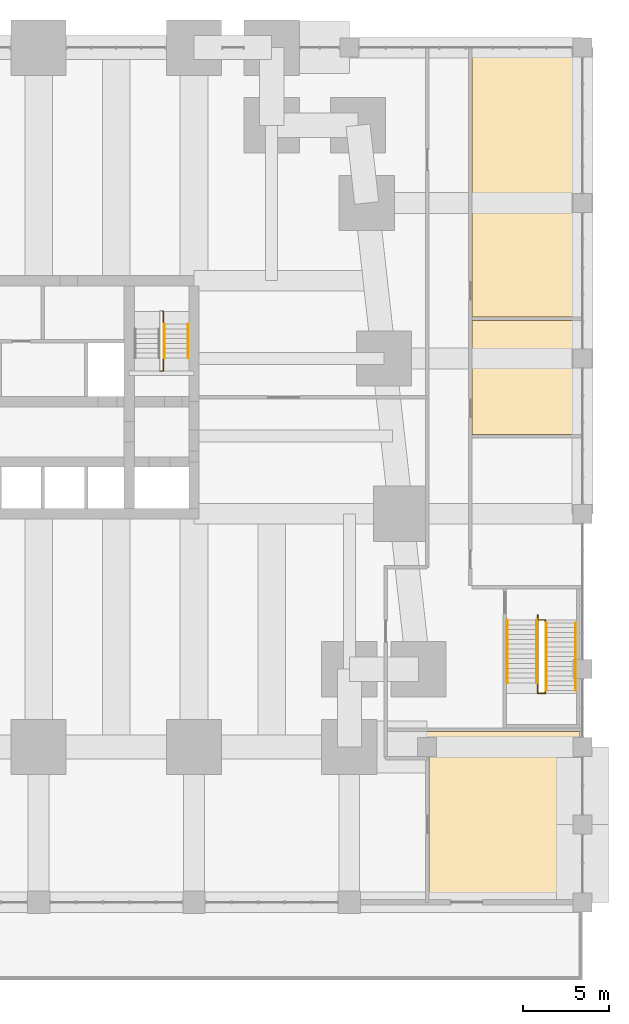
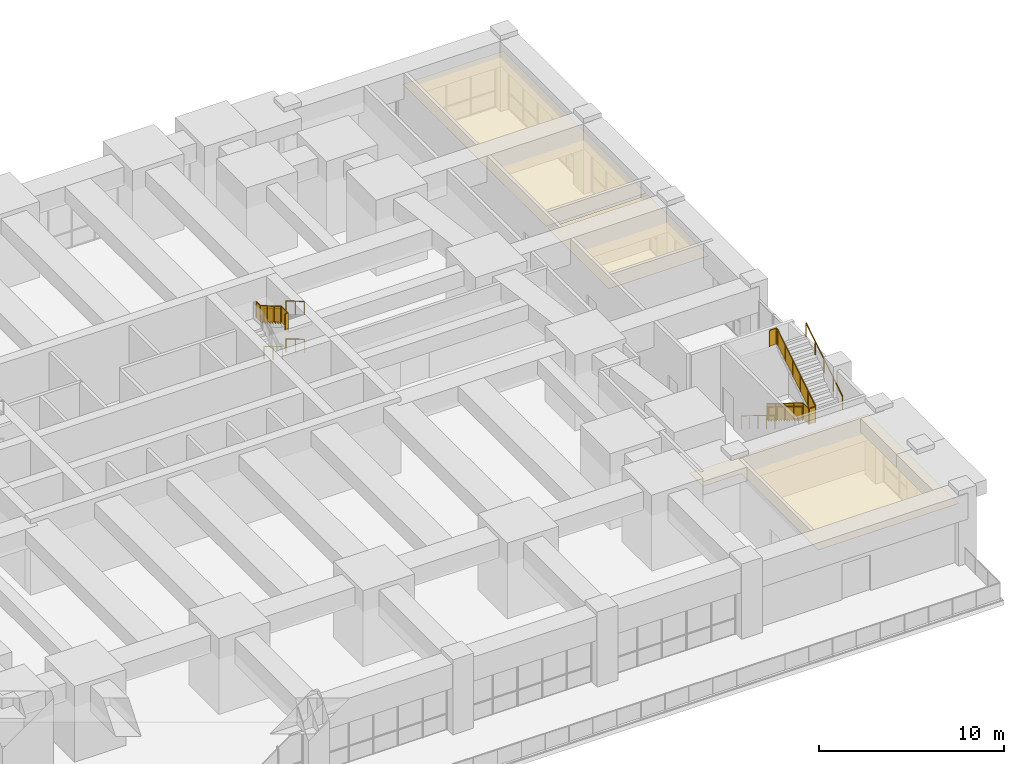
# One storey, part 27 of 27: 11 railings, 3 coverings.
"""IFC4 building model written with IfcOpenShell, lengths in metres."""

import ifcopenshell
import ifcopenshell.guid

model = None  # the IFC model being written
_history = None  # IfcOwnerHistory: only IFC2X3 demands one
_inside = {}  # id of a spatial element -> (the spatial element, [elements in it])
_under = {}  # id of a project, library or spatial element -> (it, [spatial elements below it])
_declared = {}  # id of a project -> (the project, [libraries it declares])
_typed = {}  # id of a type object -> (the type object, [elements of that type])
_made_of = {}  # id of a material, layer set ... -> (it, [elements and type objects made of it])


def new_model(schema):
    """Start an empty IFC model of exactly this schema.

    Asked for "IFC4X3", IfcOpenShell would pick the latest addendum, in which some entities
    have other attributes; the version numbers below select the first issue.
    IFC2X3 requires an IfcOwnerHistory on every rooted entity: one is made here for all.
    """
    global model, _history
    if schema == "IFC4X3":
        model = ifcopenshell.file(schema_version=(4, 3, 0, 0))
    else:
        model = ifcopenshell.file(schema=schema)
    _inside.clear()
    _under.clear()
    _declared.clear()
    _typed.clear()
    _made_of.clear()
    _history = None
    if model.schema == "IFC2X3":
        org = make("IfcOrganization", Name="unknown")
        user = make(
            "IfcPersonAndOrganization",
            ThePerson=make("IfcPerson", FamilyName="unknown"),
            TheOrganization=org,
        )
        app = make(
            "IfcApplication",
            ApplicationDeveloper=org,
            Version="unknown",
            ApplicationFullName="unknown",
            ApplicationIdentifier="unknown",
        )
        _history = make(
            "IfcOwnerHistory",
            OwningUser=user,
            OwningApplication=app,
            ChangeAction="ADDED",
            CreationDate=0,
        )
    return model


def make(cls, **values):
    """One entity of the class cls with the attributes given. An attribute that is None is left unset."""
    return model.create_entity(
        cls, **{name: value for name, value in values.items() if value is not None}
    )


def rooted(cls, **values):
    """An entity with a GlobalId (a new one), such as an element, a storey or a relation."""
    return make(cls, GlobalId=ifcopenshell.guid.new(), OwnerHistory=_history, **values)


def si_unit(unit_type, name, prefix=None):
    """IfcSIUnit, for example si_unit("LENGTHUNIT", "METRE", prefix="MILLI")."""
    return make("IfcSIUnit", UnitType=unit_type, Prefix=prefix, Name=name)


def assignment(units):
    """IfcUnitAssignment: the units of a project."""
    return None if units is None else make("IfcUnitAssignment", Units=units)


def point(xyz):
    """IfcCartesianPoint."""
    return None if xyz is None else make("IfcCartesianPoint", Coordinates=xyz)


def direction(xyz):
    """IfcDirection."""
    return None if xyz is None else make("IfcDirection", DirectionRatios=xyz)


def frame(location, z_axis=None, x_axis=None):
    """IfcAxis2Placement3D, a coordinate frame: its origin and axes. An axis left out is left unset."""
    return make(
        "IfcAxis2Placement3D",
        Location=point(location),
        Axis=direction(z_axis),
        RefDirection=direction(x_axis),
    )


def frame_2d(location, x_axis=None):
    """IfcAxis2Placement2D, a coordinate frame in the plane: its origin and x axis."""
    return make(
        "IfcAxis2Placement2D", Location=point(location), RefDirection=direction(x_axis)
    )


def origin():
    """The frame at (0, 0, 0) with its axes left unset."""
    return frame((0.0, 0.0, 0.0))


def origin_2d():
    """The frame at (0, 0) in the plane with its x axis left unset."""
    return frame_2d((0.0, 0.0))


def place(relative_to, where):
    """IfcLocalPlacement: puts the frame where relative to a parent placement (None: the world)."""
    return make(
        "IfcLocalPlacement", PlacementRelTo=relative_to, RelativePlacement=where
    )


def context(
    kind, dimensions, precision=None, world=None, true_north=None, identifier=None
):
    """IfcGeometricRepresentationContext, for example the 3D "Model" context."""
    return make(
        "IfcGeometricRepresentationContext",
        ContextIdentifier=identifier,
        ContextType=kind,
        CoordinateSpaceDimension=dimensions,
        Precision=precision,
        WorldCoordinateSystem=world,
        TrueNorth=true_north,
    )


def subcontext(parent, identifier, kind, view, scale=None):
    """IfcGeometricRepresentationSubContext, for example "Body" below "Model"."""
    return make(
        "IfcGeometricRepresentationSubContext",
        ContextIdentifier=identifier,
        ContextType=kind,
        ParentContext=parent,
        TargetScale=scale,
        TargetView=view,
    )


def project(units=None, contexts=None):
    """IfcProject with its units and contexts."""
    return rooted(
        "IfcProject",
        Name="project",
        RepresentationContexts=contexts,
        UnitsInContext=assignment(units),
    )


def spatial(cls, under=None, at=None, **own):
    """A site, building, storey or space (cls), placed at a placement, below another one or the project."""
    s = rooted(cls, ObjectPlacement=at, **own)
    if under is not None:
        _under.setdefault(under.id(), (under, []))[1].append(s)
    return s


def polyline(points):
    """IfcPolyline through the points."""
    return make("IfcPolyline", Points=[point(p) for p in points])


def profile(cls, at=None, kind="AREA", **sizes):
    """A parametric profile (cls). Its sizes go by their IFC names, for example OverallWidth=200.0."""
    return make(cls, ProfileType=kind, Position=at, **sizes)


def circle(**sizes):
    """IfcCircleProfileDef."""
    return profile("IfcCircleProfileDef", **sizes)


def outline(outer, holes=None, kind="AREA"):
    """IfcArbitraryClosedProfileDef: a profile drawn as a closed curve; with holes, ...WithVoids."""
    if holes is None:
        return make("IfcArbitraryClosedProfileDef", ProfileType=kind, OuterCurve=outer)
    return make(
        "IfcArbitraryProfileDefWithVoids",
        ProfileType=kind,
        OuterCurve=outer,
        InnerCurves=holes,
    )


def extrude(swept, where, along, depth):
    """IfcExtrudedAreaSolid: the profile swept, set in the frame where, extruded along a direction by depth."""
    return make(
        "IfcExtrudedAreaSolid",
        SweptArea=swept,
        Position=where,
        ExtrudedDirection=direction(along),
        Depth=depth,
    )


def shape(context_of_items, identifier, shape_type, items):
    """IfcShapeRepresentation: the items that make up one representation, for example the "Body"."""
    return make(
        "IfcShapeRepresentation",
        ContextOfItems=context_of_items,
        RepresentationIdentifier=identifier,
        RepresentationType=shape_type,
        Items=items,
    )


def material(Name=None, Category=None):
    """IfcMaterial."""
    return make("IfcMaterial", Name=Name, Category=Category)


def layer(
    of_material, thickness, ventilated=None, Name=None, Category=None, Priority=None
):
    """IfcMaterialLayer: one layer of a wall or slab, of a material (None: an air gap)."""
    return make(
        "IfcMaterialLayer",
        Material=of_material,
        LayerThickness=thickness,
        IsVentilated=ventilated,
        Name=Name,
        Category=Category,
        Priority=Priority,
    )


def layer_set(layers, Name=None):
    """IfcMaterialLayerSet."""
    return make("IfcMaterialLayerSet", MaterialLayers=layers, LayerSetName=Name)


def made_of(thing, what):
    """Note that an element or type object is made of a material, layer set ...; save() writes the relation."""
    if what is not None:
        _made_of.setdefault(what.id(), (what, []))[1].append(thing)
    return thing


def type_object(cls, material=None, **own):
    """A type object (cls), such as IfcWallType, which elements share."""
    return made_of(rooted(cls, **own), material)


def element(
    cls,
    number,
    at=None,
    inside=None,
    cuts=None,
    type_object=None,
    material=None,
    context=None,
    identifier="Body",
    shape_type=None,
    held_by="IfcProductDefinitionShape",
    body=None,
    shapes=None,
    **own,
):
    """One element of the class cls, such as IfcWall. Its Tag is "e" and its number.

    at: its placement. inside: the storey or other place that contains it. cuts: it is an
    opening in that element (IfcRelVoidsElement). A single representation is given by context,
    identifier, shape_type and body (its items); several are given by shapes. held_by: the class
    of the entity that holds the representations. save() writes the other relations.
    """
    e = rooted(cls, Tag="e%d" % number, ObjectPlacement=at, **own)
    if body is not None:
        shapes = [shape(context, identifier, shape_type, body)]
    if shapes is not None:
        e.Representation = make(held_by, Representations=shapes)
    if inside is not None:
        _inside.setdefault(inside.id(), (inside, []))[1].append(e)
    if cuts is not None:
        rooted(
            "IfcRelVoidsElement", RelatingBuildingElement=cuts, RelatedOpeningElement=e
        )
    if type_object is not None:
        _typed.setdefault(type_object.id(), (type_object, []))[1].append(e)
    return made_of(e, material)


def aggregate(whole, parts):
    """IfcRelAggregates: a whole, such as a stair, and the parts it consists of."""
    return rooted("IfcRelAggregates", RelatingObject=whole, RelatedObjects=parts)


def save(model, path):
    """Write the relations noted so far, then the file.

    IfcRelAggregates (storeys below a building ...), IfcRelContainedInSpatialStructure (elements
    in a storey), IfcRelDefinesByType, IfcRelAssociatesMaterial and IfcRelDeclares: one each for
    every whole, place, type object, material and project.
    """
    for whole, parts in _under.values():
        aggregate(whole, parts)
    for where, things in _inside.values():
        rooted(
            "IfcRelContainedInSpatialStructure",
            RelatedElements=things,
            RelatingStructure=where,
        )
    for kind, things in _typed.values():
        rooted("IfcRelDefinesByType", RelatedObjects=things, RelatingType=kind)
    for what, things in _made_of.values():
        rooted("IfcRelAssociatesMaterial", RelatedObjects=things, RelatingMaterial=what)
    for by, libraries in _declared.values():
        rooted("IfcRelDeclares", RelatingContext=by, RelatedDefinitions=libraries)
    model.write(path)


model = new_model("IFC4")

# Units and contexts
model_context = context("Model", 3, precision=1e-05, world=origin(), true_north=direction((0.0, 1.0)))
body_context = subcontext(model_context, "Body", "Model", "MODEL_VIEW")
ifc_project = project(units=[si_unit("LENGTHUNIT", "METRE"), si_unit("AREAUNIT", "SQUARE_METRE"), si_unit("VOLUMEUNIT", "CUBIC_METRE"), si_unit("PLANEANGLEUNIT", "RADIAN"), si_unit("MASSUNIT", "GRAM", prefix="KILO")], contexts=[model_context])

# Site, building, storey
site_placement = place(None, origin())
site = spatial("IfcSite", under=ifc_project, at=site_placement, CompositionType="ELEMENT")
building_placement = place(site_placement, origin())
building = spatial("IfcBuilding", under=site, at=building_placement, Name="Kilele Tower Hotel", CompositionType="ELEMENT")
storey_placement = place(building_placement, frame((0.0, 0.0, 6.0)))
storey = spatial("IfcBuildingStorey", under=building, at=storey_placement, Name="L01", CompositionType="ELEMENT", Elevation=6.0)

# Railings
ifc_material_1 = material(Name="Steel handrail", Category="steel")
railing_type_1 = type_object("IfcRailingType", Name="Handrail 900", PredefinedType="HANDRAIL", material=ifc_material_1)
for number, where, name in (
    (1, (34.27490234375, 24.47998046875, 1.333251953125), "Handrail ST2 flight 2"),
    (2, (35.64990234375, 24.47998046875, 1.333251953125), "Handrail ST2 flight 2"),
    (3, (34.27490234375, 24.47998046875, 3.833251953125), "Handrail ST2 flight 4"),
    (4, (35.64990234375, 24.47998046875, 3.833251953125), "Handrail ST2 flight 4"),
):
    element("IfcRailing", number, at=place(storey_placement, frame(where)), inside=storey, type_object=railing_type_1, Name=name, PredefinedType="HANDRAIL", context=body_context, shape_type="SweptSolid", body=[
        extrude(circle(Radius=0.02490234375, at=origin_2d()), frame((0.0, 0.0, 0.875), z_axis=(0.0, -0.859272722373, 0.511517730471), x_axis=(1.0, 0.0, 0.0)), (0.0, 0.0, 1.0), 2.281005859375),
        extrude(circle(Radius=0.02001953125, at=origin_2d()), origin(), (0.0, 0.0, 1.0), 0.849853515625),
        extrude(circle(Radius=0.02001953125, at=origin_2d()), frame((0.0, -0.97998046875, 0.58349609375)), (0.0, 0.0, 1.0), 0.849853515625),
        extrude(circle(Radius=0.02001953125, at=origin_2d()), frame((0.0, -1.9599609375, 1.166748046875)), (0.0, 0.0, 1.0), 0.849853515625),
    ])
for number, where, name in (
    (5, (54.14990234375, 7.35009765625, 0.17236328125), "Handrail ST5 flight 1"),
    (6, (55.85009765625, 7.35009765625, 0.17236328125), "Handrail ST5 flight 1"),
):
    element("IfcRailing", number, at=place(storey_placement, frame(where)), inside=storey, type_object=railing_type_1, Name=name, PredefinedType="HANDRAIL", context=body_context, shape_type="SweptSolid", body=[
        extrude(circle(Radius=0.02490234375, at=origin_2d()), frame((0.0, 0.0, 0.875), z_axis=(0.0, -0.851515141431, 0.524330014318), x_axis=(1.0, 0.0, 0.0)), (0.0, 0.0, 1.0), 4.27490234375),
        extrude(circle(Radius=0.02001953125, at=origin_2d()), origin(), (0.0, 0.0, 1.0), 0.849853515625),
        extrude(circle(Radius=0.02001953125, at=origin_2d()), frame((0.0, -0.91015625, 0.560302734375)), (0.0, 0.0, 1.0), 0.849853515625),
        extrude(circle(Radius=0.02001953125, at=origin_2d()), frame((0.0, -1.820068359375, 1.12060546875)), (0.0, 0.0, 1.0), 0.849853515625),
        extrude(circle(Radius=0.02001953125, at=origin_2d()), frame((0.0, -2.72998046875, 1.68115234375)), (0.0, 0.0, 1.0), 0.849853515625),
        extrude(circle(Radius=0.02001953125, at=origin_2d()), frame((0.0, -3.64013671875, 2.241455078125)), (0.0, 0.0, 1.0), 0.849853515625),
    ])
for number, where, name in (
    (7, (56.39990234375, 3.264892578125, 2.586181640625), "Handrail ST5 flight 2"),
    (8, (58.10009765625, 3.264892578125, 2.586181640625), "Handrail ST5 flight 2"),
):
    element("IfcRailing", number, at=place(storey_placement, frame(where)), inside=storey, type_object=railing_type_1, Name=name, PredefinedType="HANDRAIL", context=body_context, shape_type="SweptSolid", body=[
        extrude(circle(Radius=0.02490234375, at=origin_2d()), frame((0.0, 0.0, 0.875), z_axis=(0.0, 0.851521726804, 0.524319319481), x_axis=(-1.0, 0.0, 0.0)), (0.0, 0.0, 1.0), 4.603759765625),
        extrude(circle(Radius=0.02001953125, at=origin_2d()), origin(), (0.0, 0.0, 1.0), 0.849853515625),
        extrude(circle(Radius=0.02001953125, at=origin_2d()), frame((0.0, 0.97998046875, 0.603515625)), (0.0, 0.0, 1.0), 0.849853515625),
        extrude(circle(Radius=0.02001953125, at=origin_2d()), frame((0.0, 1.9599609375, 1.20703125)), (0.0, 0.0, 1.0), 0.849853515625),
        extrude(circle(Radius=0.02001953125, at=origin_2d()), frame((0.0, 2.940185546875, 1.810302734375)), (0.0, 0.0, 1.0), 0.849853515625),
        extrude(circle(Radius=0.02001953125, at=origin_2d()), frame((0.0, 3.920166015625, 2.413818359375)), (0.0, 0.0, 1.0), 0.849853515625),
    ])
ifc_material_2 = material(Name="Steel guard", Category="steel")
railing_type_2 = type_object("IfcRailingType", Name="Stair guard 1100", PredefinedType="GUARDRAIL", material=ifc_material_2)
railing_1_placement = place(storey_placement, frame((34.215087890625, 25.22509765625, 3.666748046875)))
element("IfcRailing", 9, at=railing_1_placement, inside=storey, type_object=railing_type_2, Name="Stair well guard ST2 flight 4", PredefinedType="GUARDRAIL", context=body_context, shape_type="SweptSolid", body=[
    extrude(circle(Radius=0.02490234375, at=origin_2d()), frame((0.0, 0.0, 1.0751953125), z_axis=(0.0, -1.0, 0.0), x_axis=(1.0, 0.0, 0.0)), (0.0, 0.0, 1.0), 0.465087890625),
    extrude(circle(Radius=0.02490234375, at=origin_2d()), frame((0.0, -0.465087890625, 1.0751953125), z_axis=(0.0, -0.859305625298, 0.511462454469), x_axis=(1.0, 0.0, 0.0)), (0.0, 0.0, 1.0), 2.606689453125),
    extrude(circle(Radius=0.02490234375, at=origin_2d()), frame((0.0, -2.705078125, 2.408203125), z_axis=(0.0, -1.0, 0.0), x_axis=(1.0, 0.0, 0.0)), (0.0, 0.0, 1.0), 0.7451171875),
    extrude(circle(Radius=0.02490234375, at=origin_2d()), frame((0.0, -3.4501953125, 2.408203125), z_axis=(-1.0, 0.0, 0.0), x_axis=(0.0, -1.0, 0.0)), (0.0, 0.0, 1.0), 0.18017578125),
    extrude(circle(Radius=0.02490234375, at=origin_2d()), origin(), (0.0, 0.0, 1.0), 1.050048828125),
    extrude(circle(Radius=0.02490234375, at=origin_2d()), frame((0.0, -0.465087890625, 0.0)), (0.0, 0.0, 1.0), 1.050048828125),
    extrude(circle(Radius=0.02490234375, at=origin_2d()), frame((0.0, -1.211669921875, 0.4443359375)), (0.0, 0.0, 1.0), 1.050048828125),
    extrude(circle(Radius=0.02490234375, at=origin_2d()), frame((0.0, -1.95849609375, 0.888916015625)), (0.0, 0.0, 1.0), 1.050048828125),
    extrude(circle(Radius=0.02490234375, at=origin_2d()), frame((0.0, -2.705078125, 1.333251953125)), (0.0, 0.0, 1.0), 1.050048828125),
    extrude(circle(Radius=0.02490234375, at=origin_2d()), frame((0.0, -3.4501953125, 1.333251953125)), (0.0, 0.0, 1.0), 1.050048828125),
    extrude(circle(Radius=0.02490234375, at=origin_2d()), frame((-0.18017578125, -3.4501953125, 1.333251953125)), (0.0, 0.0, 1.0), 1.050048828125),
    extrude(outline(polyline([(0.0, 0.030029296875), (0.45263671875, 0.030029296875), (0.45263671875, 1.050048828125), (0.0, 1.050048828125), (0.0, 0.030029296875)])), frame((0.005859375, 0.0, 0.0), z_axis=(-1.0, 0.0, 0.0), x_axis=(0.0, -1.0, 0.0)), (0.0, 0.0, 1.0), 0.011962890625),
    extrude(outline(polyline([(0.012451171875, 0.030029296875), (0.25, 0.030029296875), (0.25, 0.19677734375), (0.530029296875, 0.19677734375), (0.530029296875, 0.36328125), (0.81005859375, 0.36328125), (0.81005859375, 0.530029296875), (1.08984375, 0.530029296875), (1.08984375, 0.69677734375), (1.369873046875, 0.69677734375), (1.369873046875, 0.86328125), (1.64990234375, 0.86328125), (1.64990234375, 1.030029296875), (1.929931640625, 1.030029296875), (1.929931640625, 1.196533203125), (2.2099609375, 1.196533203125), (2.2099609375, 1.36328125), (2.2275390625, 1.36328125), (2.2275390625, 2.371826171875), (0.012451171875, 1.053466796875), (0.012451171875, 0.030029296875)])), frame((0.005859375, -0.465087890625, 0.0), z_axis=(-1.0, 0.0, 0.0), x_axis=(0.0, -1.0, 0.0)), (0.0, 0.0, 1.0), 0.011962890625),
    extrude(outline(polyline([(0.012451171875, 0.030029296875), (0.732666015625, 0.030029296875), (0.732666015625, 1.050048828125), (0.012451171875, 1.050048828125), (0.012451171875, 0.030029296875)])), frame((0.005859375, -2.705078125, 1.333251953125), z_axis=(-1.0, 0.0, 0.0), x_axis=(0.0, -1.0, 0.0)), (0.0, 0.0, 1.0), 0.011962890625),
    extrude(outline(polyline([(0.012451171875, 0.030029296875), (0.18017578125, 0.030029296875), (0.18017578125, 1.050048828125), (0.012451171875, 1.050048828125), (0.012451171875, 0.030029296875)])), frame((0.0, -3.4560546875, 1.333251953125), z_axis=(0.0, 1.0, 0.0), x_axis=(-1.0, 0.0, 0.0)), (0.0, 0.0, 1.0), 0.011962890625),
])
railing_2_placement = place(storey_placement, frame((55.909912109375, 7.6298828125, 0.0)))
element("IfcRailing", 10, at=railing_2_placement, inside=storey, type_object=railing_type_2, Name="Stair well guard ST5 flight 1", PredefinedType="GUARDRAIL", context=body_context, shape_type="SweptSolid", body=[
    extrude(circle(Radius=0.02490234375, at=origin_2d()), frame((0.0, 0.0, 1.0751953125), z_axis=(0.0, -0.851507146974, 0.524342997143), x_axis=(1.0, 0.0, 0.0)), (0.0, 0.0, 1.0), 4.603515625),
    extrude(circle(Radius=0.02490234375, at=origin_2d()), frame((0.0, -3.919921875, 3.48876953125), z_axis=(0.0, -1.0, 0.0), x_axis=(1.0, 0.0, 0.0)), (0.0, 0.0, 1.0), 0.60986328125),
    extrude(circle(Radius=0.02490234375, at=origin_2d()), frame((0.0, -4.52978515625, 3.48876953125), z_axis=(1.0, 0.0, 0.0), x_axis=(0.0, 1.0, 0.0)), (0.0, 0.0, 1.0), 0.43017578125),
    extrude(circle(Radius=0.02490234375, at=origin_2d()), origin(), (0.0, 0.0, 1.0), 1.050048828125),
    extrude(circle(Radius=0.02490234375, at=origin_2d()), frame((0.0, -0.97998046875, 0.603515625)), (0.0, 0.0, 1.0), 1.050048828125),
    extrude(circle(Radius=0.02490234375, at=origin_2d()), frame((0.0, -1.9599609375, 1.20703125)), (0.0, 0.0, 1.0), 1.050048828125),
    extrude(circle(Radius=0.02490234375, at=origin_2d()), frame((0.0, -2.93994140625, 1.810302734375)), (0.0, 0.0, 1.0), 1.050048828125),
    extrude(circle(Radius=0.02490234375, at=origin_2d()), frame((0.0, -3.919921875, 2.413818359375)), (0.0, 0.0, 1.0), 1.050048828125),
    extrude(circle(Radius=0.02490234375, at=origin_2d()), frame((0.0, -4.52978515625, 2.413818359375)), (0.0, 0.0, 1.0), 1.050048828125),
    extrude(circle(Radius=0.02490234375, at=origin_2d()), frame((0.43017578125, -4.52978515625, 2.413818359375)), (0.0, 0.0, 1.0), 1.050048828125),
    extrude(outline(polyline([(0.012451171875, 0.030029296875), (0.25, 0.030029296875), (0.25, 0.202392578125), (0.530029296875, 0.202392578125), (0.530029296875, 0.374755859375), (0.81005859375, 0.374755859375), (0.81005859375, 0.54736328125), (1.08984375, 0.54736328125), (1.08984375, 0.7197265625), (1.369873046875, 0.7197265625), (1.369873046875, 0.89208984375), (1.64990234375, 0.89208984375), (1.64990234375, 1.064453125), (1.929931640625, 1.064453125), (1.929931640625, 1.23681640625), (2.2099609375, 1.23681640625), (2.2099609375, 1.409423828125), (2.489990234375, 1.409423828125), (2.489990234375, 1.581787109375), (2.77001953125, 1.581787109375), (2.77001953125, 1.754150390625), (3.0498046875, 1.754150390625), (3.0498046875, 1.926513671875), (3.329833984375, 1.926513671875), (3.329833984375, 2.09912109375), (3.60986328125, 2.09912109375), (3.60986328125, 2.271484375), (3.889892578125, 2.271484375), (3.889892578125, 2.44384765625), (3.907470703125, 2.44384765625), (3.907470703125, 3.451904296875), (0.012451171875, 1.053466796875), (0.012451171875, 0.030029296875)])), frame((0.005859375, 0.0, 0.0), z_axis=(-1.0, 0.0, 0.0), x_axis=(0.0, -1.0, 0.0)), (0.0, 0.0, 1.0), 0.011962890625),
    extrude(outline(polyline([(0.012451171875, 0.030029296875), (0.597412109375, 0.030029296875), (0.597412109375, 1.050048828125), (0.012451171875, 1.050048828125), (0.012451171875, 0.030029296875)])), frame((0.005859375, -3.919921875, 2.413818359375), z_axis=(-1.0, 0.0, 0.0), x_axis=(0.0, -1.0, 0.0)), (0.0, 0.0, 1.0), 0.011962890625),
    extrude(outline(polyline([(0.012451171875, 0.030029296875), (0.43017578125, 0.030029296875), (0.43017578125, 1.050048828125), (0.012451171875, 1.050048828125), (0.012451171875, 0.030029296875)])), frame((0.0, -4.52392578125, 2.413818359375), z_axis=(0.0, -1.0, 0.0), x_axis=(1.0, 0.0, 0.0)), (0.0, 0.0, 1.0), 0.011962890625),
])
railing_3_placement = place(storey_placement, frame((56.340087890625, 3.10009765625, 2.413818359375)))
element("IfcRailing", 11, at=railing_3_placement, inside=storey, type_object=railing_type_2, Name="Stair well guard ST5 flight 2", PredefinedType="GUARDRAIL", context=body_context, shape_type="SweptSolid", body=[
    extrude(circle(Radius=0.02490234375, at=origin_2d()), frame((0.0, 0.0, 1.0751953125), z_axis=(0.0, 0.844908844265, 0.534910314804), x_axis=(-1.0, 0.0, 0.0)), (0.0, 0.0, 1.0), 4.834716796875),
    extrude(circle(Radius=0.02490234375, at=origin_2d()), frame((0.0, 4.0849609375, 3.6611328125), z_axis=(0.0, 1.0, 0.0), x_axis=(-1.0, 0.0, 0.0)), (0.0, 0.0, 1.0), 0.1650390625),
    extrude(circle(Radius=0.02490234375, at=origin_2d()), frame((0.0, 4.25, 3.6611328125), z_axis=(-1.0, 0.0, 0.0), x_axis=(0.0, -1.0, 0.0)), (0.0, 0.0, 1.0), 0.43017578125),
    extrude(circle(Radius=0.02490234375, at=origin_2d()), origin(), (0.0, 0.0, 1.0), 1.050048828125),
    extrude(circle(Radius=0.02490234375, at=origin_2d()), frame((0.0, 0.81689453125, 0.517333984375)), (0.0, 0.0, 1.0), 1.050048828125),
    extrude(circle(Radius=0.02490234375, at=origin_2d()), frame((0.0, 1.634033203125, 1.034423828125)), (0.0, 0.0, 1.0), 1.050048828125),
    extrude(circle(Radius=0.02490234375, at=origin_2d()), frame((0.0, 2.450927734375, 1.5517578125)), (0.0, 0.0, 1.0), 1.050048828125),
    extrude(circle(Radius=0.02490234375, at=origin_2d()), frame((0.0, 3.26806640625, 2.06884765625)), (0.0, 0.0, 1.0), 1.050048828125),
    extrude(circle(Radius=0.02490234375, at=origin_2d()), frame((0.0, 4.0849609375, 2.586181640625)), (0.0, 0.0, 1.0), 1.050048828125),
    extrude(circle(Radius=0.02490234375, at=origin_2d()), frame((0.0, 4.25, 2.586181640625)), (0.0, 0.0, 1.0), 1.050048828125),
    extrude(circle(Radius=0.02490234375, at=origin_2d()), frame((-0.43017578125, 4.25, 2.586181640625)), (0.0, 0.0, 1.0), 1.050048828125),
    extrude(outline(polyline([(0.0, 0.030029296875), (4.072509765625, 2.6083984375), (4.072509765625, 3.623779296875), (0.0, 1.04541015625), (0.0, 0.030029296875)])), frame((-0.005859375, 0.0, 0.0), z_axis=(1.0, 0.0, 0.0), x_axis=(0.0, 1.0, 0.0)), (0.0, 0.0, 1.0), 0.011962890625),
    extrude(outline(polyline([(0.012451171875, 0.030029296875), (0.152587890625, 0.030029296875), (0.152587890625, 1.050048828125), (0.012451171875, 1.050048828125), (0.012451171875, 0.030029296875)])), frame((-0.005859375, 4.0849609375, 2.586181640625), z_axis=(1.0, 0.0, 0.0), x_axis=(0.0, 1.0, 0.0)), (0.0, 0.0, 1.0), 0.011962890625),
    extrude(outline(polyline([(0.012451171875, 0.030029296875), (0.43017578125, 0.030029296875), (0.43017578125, 1.050048828125), (0.012451171875, 1.050048828125), (0.012451171875, 0.030029296875)])), frame((0.0, 4.244140625, 2.586181640625), z_axis=(0.0, 1.0, 0.0), x_axis=(-1.0, 0.0, 0.0)), (0.0, 0.0, 1.0), 0.011962890625),
])

# Coverings
ifc_material_3 = material(Name="Gypsum board suspended ceiling", Category="gypsum")
ifc_layer = layer(ifc_material_3, 0.02490234375)
ifc_layer_set = layer_set([ifc_layer], Name="Gypsum board suspended ceiling")
covering_type = type_object("IfcCoveringType", Name="Suspended ceiling 25", PredefinedType="CEILING", material=ifc_layer_set)
covering_1_placement = place(storey_placement, frame((0.0, 0.0, 3.60009765625)))
element("IfcCovering", 12, at=covering_1_placement, inside=storey, type_object=covering_type, Name="Suspended ceiling Private dining room", PredefinedType="CEILING", context=body_context, shape_type="SweptSolid", body=[
    extrude(outline(polyline([(58.35009765625, 0.89990234375), (58.35009765625, -8.85009765625), (49.60009765625, -8.85009765625), (49.60009765625, -0.550048828125), (47.199951171875, -0.550048828125), (47.199951171875, 0.89990234375), (58.35009765625, 0.89990234375)])), origin(), (0.0, 0.0, 1.0), 0.02490234375),
])
covering_2_placement = place(storey_placement, frame((0.0, 0.0, 3.60009765625)))
element("IfcCovering", 13, at=covering_2_placement, inside=storey, type_object=covering_type, Name="Suspended ceiling Staff WC", PredefinedType="CEILING", context=body_context, shape_type="SweptSolid", body=[
    extrude(outline(polyline([(58.35009765625, 18.10009765625), (52.10009765625, 18.10009765625), (52.10009765625, 24.699951171875), (58.35009765625, 24.699951171875), (58.35009765625, 18.10009765625)])), origin(), (0.0, 0.0, 1.0), 0.02490234375),
])
covering_3_placement = place(storey_placement, frame((0.0, 0.0, 3.60009765625)))
element("IfcCovering", 14, at=covering_3_placement, inside=storey, type_object=covering_type, Name="Suspended ceiling Restaurant kitchen", PredefinedType="CEILING", context=body_context, shape_type="SweptSolid", body=[
    extrude(outline(polyline([(58.35009765625, 24.89990234375), (52.10009765625, 24.89990234375), (52.10009765625, 40.35009765625), (58.35009765625, 40.35009765625), (58.35009765625, 24.89990234375)])), origin(), (0.0, 0.0, 1.0), 0.02490234375),
])

save(model, "model.ifc")
